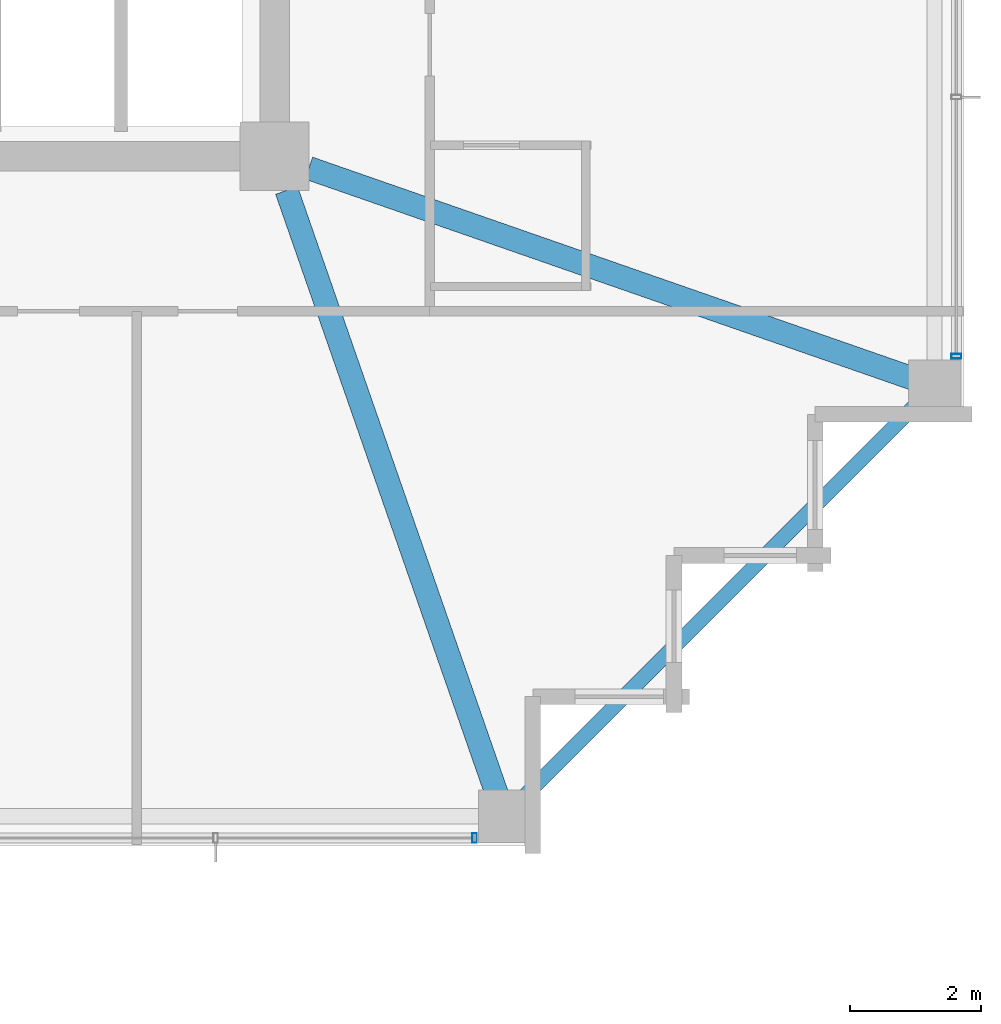
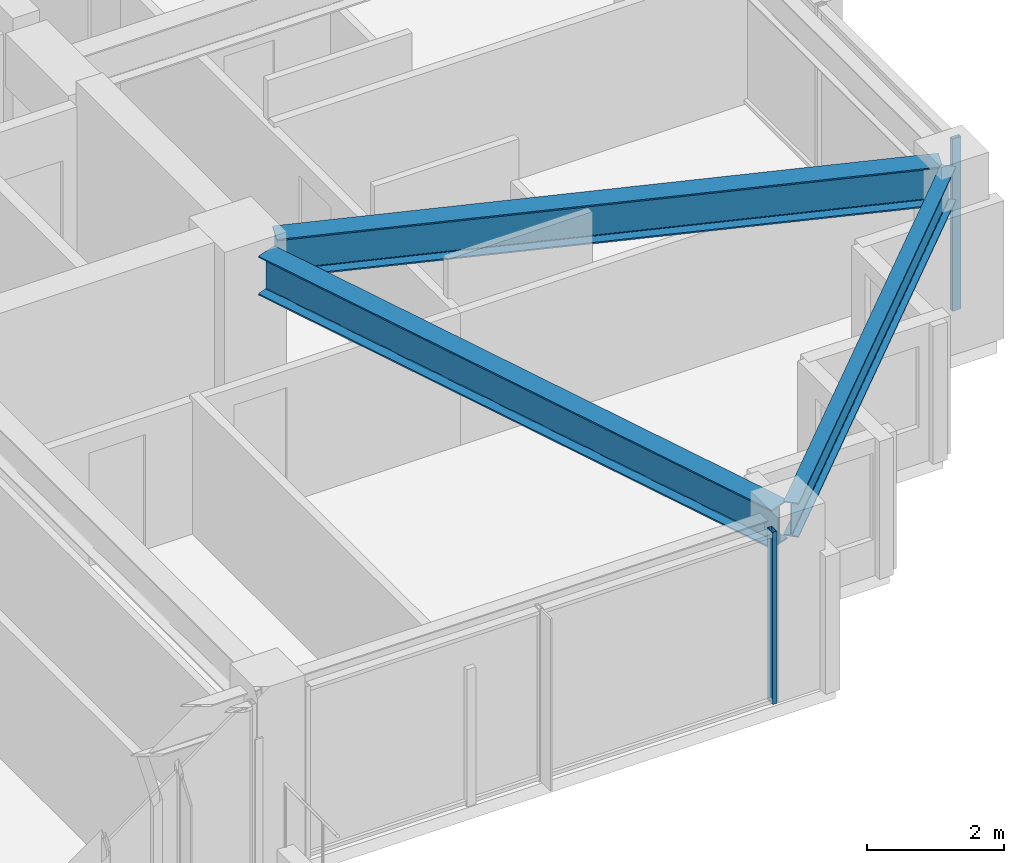
# One storey, part 11 of 36: 3 beams, 2 members, 2 elements without a shape of their own.
"""IFC4 building model written with IfcOpenShell, lengths in metres."""

from ifc_helpers import new_model, si_unit, direction, frame, origin, origin_2d, place, context, subcontext, project, spatial, hollow_rectangle, i_section, extrude, material, material_profile, profile_set, type_object, element, aggregate, save


model = new_model("IFC4")

# Units and contexts
model_context = context("Model", 3, precision=1e-05, world=origin(), true_north=direction((0.0, 1.0)))
body_context = subcontext(model_context, "Body", "Model", "MODEL_VIEW")
ifc_project = project(units=[si_unit("LENGTHUNIT", "METRE"), si_unit("AREAUNIT", "SQUARE_METRE"), si_unit("VOLUMEUNIT", "CUBIC_METRE"), si_unit("PLANEANGLEUNIT", "RADIAN"), si_unit("MASSUNIT", "GRAM", prefix="KILO")], contexts=[model_context])

# Site, building, storey
site_placement = place(None, origin())
site = spatial("IfcSite", under=ifc_project, at=site_placement, CompositionType="ELEMENT")
building_placement = place(site_placement, origin())
building = spatial("IfcBuilding", under=site, at=building_placement, Name="Kolvaren Belvedere", CompositionType="ELEMENT")
storey_placement = place(building_placement, frame((0.0, 0.0, 226.199951171875)))
storey = spatial("IfcBuildingStorey", under=building, at=storey_placement, Name="L66", CompositionType="ELEMENT", Elevation=226.199951171875)

# Beams
ifc_material_1 = material(Name="Structural steel ASTM A992 Grade 50", Category="steel")
ifc_material_profile_1 = material_profile(ifc_material_1, i_section(OverallWidth=0.35498046875, OverallDepth=0.696044921875, WebThickness=0.015380859375, FlangeThickness=0.02490234375, FilletRadius=0.02197265625, at=origin_2d()), Name="W27X146")
ifc_profile_set_1 = profile_set([ifc_material_profile_1], Name="Structural steel ASTM A992 Grade 50")
beam_type_1 = type_object("IfcBeamType", Name="BM-GIRD-W27X146", PredefinedType="BEAM", material=ifc_profile_set_1)
for number, where, z_axis, x_axis, name in (
    (1, (10.080810546875, -10.41943359375, 2.73193359375), (0.328898147971, -0.944365399758, 0.0), (0.944365399758, 0.328898147971, 0.0), "L66 Corner Core-to-Perimeter Girder CC2-S4"),
    (2, (10.41943359375, -10.080810546875, 2.73193359375), (0.944365399758, -0.328898147971, 0.0), (0.328898147971, 0.944365399758, 0.0), "L66 Corner Core-to-Perimeter Girder CC2-E1"),
):
    element("IfcBeam", number, at=place(storey_placement, frame(where, z_axis=z_axis, x_axis=x_axis)), inside=storey, type_object=beam_type_1, Name=name, PredefinedType="BEAM", context=body_context, shape_type="SweptSolid", body=[
        extrude(i_section(OverallWidth=0.35498046875, OverallDepth=0.696044921875, WebThickness=0.015380859375, FlangeThickness=0.02490234375, FilletRadius=0.02197265625, at=origin_2d()), origin(), (0.0, 0.0, 1.0), 9.931884765625),
    ])
ifc_material_2 = material(Name="Structural steel ASTM A992 Grade 50", Category="steel")
ifc_material_profile_2 = material_profile(ifc_material_2, i_section(OverallWidth=0.22900390625, OverallDepth=0.612060546875, WebThickness=0.011962890625, FlangeThickness=0.01953125, FilletRadius=0.01806640625, at=origin_2d()), Name="W24X84")
ifc_profile_set_2 = profile_set([ifc_material_profile_2], Name="Structural steel ASTM A992 Grade 50")
beam_type_2 = type_object("IfcBeamType", Name="BM-SPAN-W24X84", PredefinedType="SPANDREL", material=ifc_profile_set_2)
beam_placement = place(storey_placement, frame((13.52734375, -19.82275390625, 2.774169921875), z_axis=(0.707106781187, 0.707106781187, 0.0), x_axis=(-0.707106781187, 0.707106781187, 0.0)))
element("IfcBeam", 3, at=beam_placement, inside=storey, type_object=beam_type_2, Name="L66 Perimeter Spandrel S4-E1", PredefinedType="SPANDREL", context=body_context, shape_type="SweptSolid", body=[
    extrude(i_section(OverallWidth=0.22900390625, OverallDepth=0.612060546875, WebThickness=0.011962890625, FlangeThickness=0.01953125, FilletRadius=0.01806640625, at=origin_2d()), origin(), (0.0, 0.0, 1.0), 8.903076171875),
])

# Curtain wall, member
ifc_material_3 = material(Name="Anodised pale-metal aluminium AA 6063-T6", Category="aluminium")
curtain_wall_type = type_object("IfcCurtainWallType", Name="CW-Z5-HIGH", PredefinedType="NOTDEFINED", material=ifc_material_3)
curtain_wall_1_placement = place(storey_placement, origin())
curtain_wall_1 = element("IfcCurtainWall", 4, at=curtain_wall_1_placement, inside=storey, type_object=curtain_wall_type, Name="L66 Unitised Curtain Wall FCW-L66-S1-B1", PredefinedType="NOTDEFINED")
ifc_material_4 = material(Name="Anodised pale-metal aluminium AA 6063-T6", Category="aluminium")
ifc_material_profile_3 = material_profile(ifc_material_4, hollow_rectangle(XDim=0.070068359375, YDim=0.14990234375, WallThickness=0.004150390625, at=origin_2d()), Name="ALU-MUL-150X70")
ifc_profile_set_3 = profile_set([ifc_material_profile_3], Name="Anodised pale-metal aluminium AA 6063-T6")
member_type = type_object("IfcMemberType", Name="CW-MUL-150", PredefinedType="MULLION", material=ifc_profile_set_3)
member_1_placement = place(storey_placement, frame((12.945068359375, -20.280029296875, 0.0), z_axis=(0.0, 0.0, 1.0), x_axis=(1.0, 0.0, 0.0)))
member_1 = element("IfcMember", 5, at=member_1_placement, type_object=member_type, Name="FCW-L66-S1-B1 Unitised Mullion 1", PredefinedType="MULLION", context=body_context, shape_type="SweptSolid", body=[
    extrude(hollow_rectangle(XDim=0.070068359375, YDim=0.14990234375, WallThickness=0.004150390625, at=origin_2d()), origin(), (0.0, 0.0, 1.0), 3.080078125),
])
aggregate(curtain_wall_1, [member_1])

curtain_wall_2_placement = place(storey_placement, origin())
curtain_wall_2 = element("IfcCurtainWall", 6, at=curtain_wall_2_placement, inside=storey, type_object=curtain_wall_type, Name="L66 Unitised Curtain Wall FCW-L66-E-B3", PredefinedType="NOTDEFINED")
member_2_placement = place(storey_placement, frame((20.280029296875, -12.945068359375, 0.0), z_axis=(0.0, 0.0, 1.0), x_axis=(0.0, 1.0, 0.0)))
member_2 = element("IfcMember", 7, at=member_2_placement, type_object=member_type, Name="FCW-L66-E-B3 Unitised Mullion 3", PredefinedType="MULLION", context=body_context, shape_type="SweptSolid", body=[
    extrude(hollow_rectangle(XDim=0.070068359375, YDim=0.14990234375, WallThickness=0.004150390625, at=origin_2d()), origin(), (0.0, 0.0, 1.0), 3.080078125),
])
aggregate(curtain_wall_2, [member_2])

save(model, "model.ifc")
